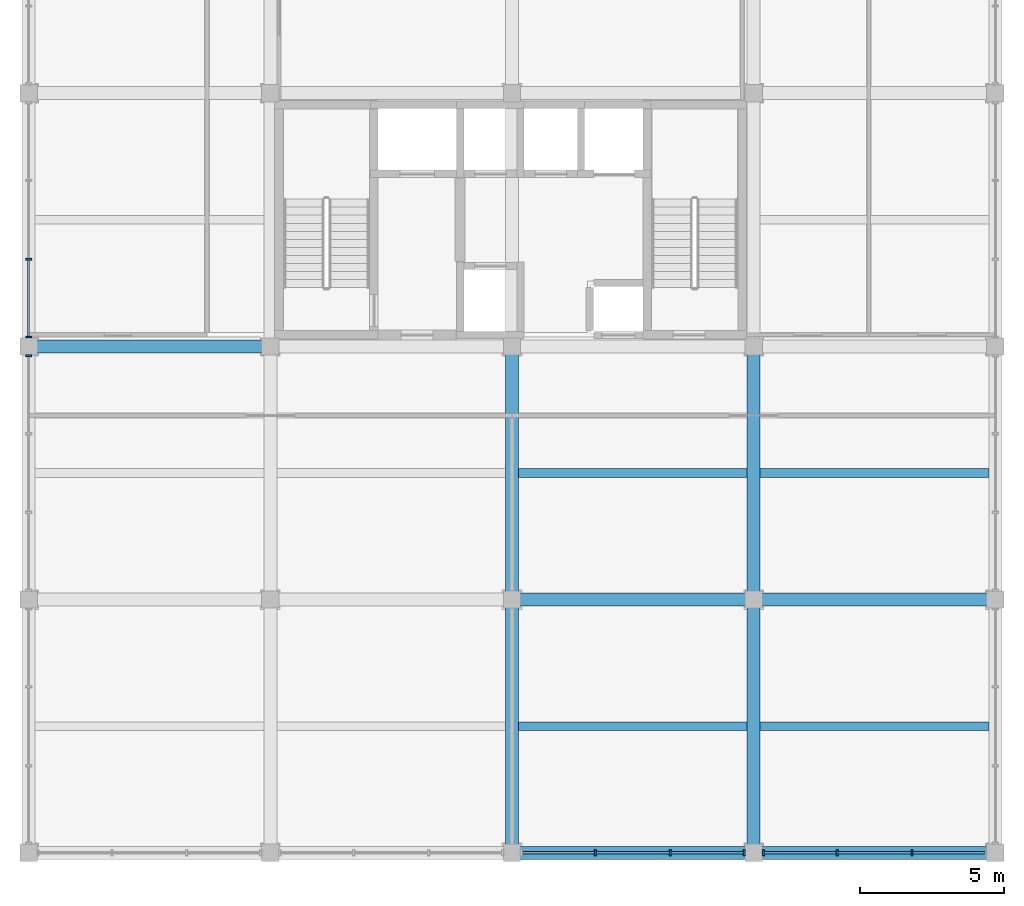
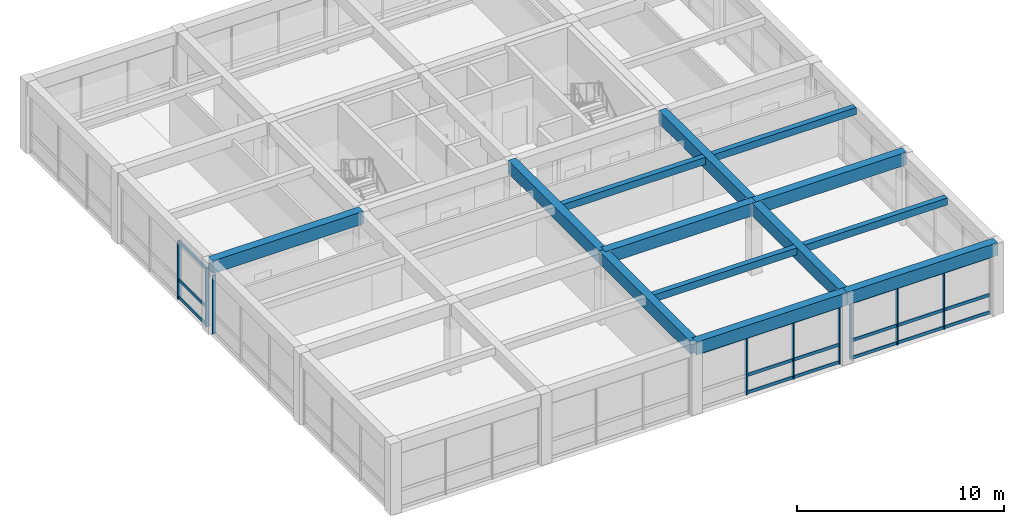
# One storey, part 3 of 14: 28 members, 13 beams, 4 elements without a shape of their own.
"""IFC4 building model written with IfcOpenShell, lengths in metres."""

from ifc_helpers import new_model, si_unit, direction, frame, origin, origin_2d, place, context, subcontext, project, spatial, rectangle, extrude, material, material_profile, profile_set, type_object, element, aggregate, save


model = new_model("IFC4")

# Units and contexts
model_context = context("Model", 3, precision=1e-05, world=origin(), true_north=direction((0.0, 1.0)))
body_context = subcontext(model_context, "Body", "Model", "MODEL_VIEW")
ifc_project = project(units=[si_unit("LENGTHUNIT", "METRE"), si_unit("AREAUNIT", "SQUARE_METRE"), si_unit("VOLUMEUNIT", "CUBIC_METRE"), si_unit("PLANEANGLEUNIT", "RADIAN"), si_unit("MASSUNIT", "GRAM", prefix="KILO")], contexts=[model_context])

# Site, building, storey
site_placement = place(None, origin())
site = spatial("IfcSite", under=ifc_project, at=site_placement, CompositionType="ELEMENT")
building_placement = place(site_placement, origin())
building = spatial("IfcBuilding", under=site, at=building_placement, Name="Kemercrest Conservatory and Botanical Centre", CompositionType="ELEMENT")
storey_placement = place(building_placement, frame((0.0, 0.0, 63.800048828125)))
storey = spatial("IfcBuildingStorey", under=building, at=storey_placement, Name="L16", CompositionType="ELEMENT", Elevation=63.800048828125)

# Beams
ifc_material_1 = material(Name="Concrete C40/50", Category="concrete")
ifc_material_profile_1 = material_profile(ifc_material_1, rectangle(XDim=0.449951171875, YDim=0.75, at=origin_2d()), Name="RC 450x750")
ifc_profile_set_1 = profile_set([ifc_material_profile_1], Name="Concrete C40/50")
beam_type_1 = type_object("IfcBeamType", Name="BM-RC75", PredefinedType="BEAM", material=ifc_profile_set_1)
beam_1_placement = place(storey_placement, frame((159.199951171875, 96.0, 3.824951171875), z_axis=(1.0, 0.0, 0.0), x_axis=(0.0, 1.0, 0.0)))
element("IfcBeam", 1, at=beam_1_placement, inside=storey, type_object=beam_type_1, Name="V4-RF beam BM-RC75 L/19-20", PredefinedType="BEAM", context=body_context, shape_type="SweptSolid", body=[
    extrude(rectangle(XDim=0.449951171875, YDim=0.75, at=origin_2d()), origin(), (0.0, 0.0, 1.0), 8.400146484375),
])
beam_2_placement = place(storey_placement, frame((167.60009765625, 96.0, 3.824951171875), z_axis=(1.0, 0.0, 0.0), x_axis=(0.0, 1.0, 0.0)))
element("IfcBeam", 2, at=beam_2_placement, inside=storey, type_object=beam_type_1, Name="V4-RF beam BM-RC75 L/20-21", PredefinedType="BEAM", context=body_context, shape_type="SweptSolid", body=[
    extrude(rectangle(XDim=0.449951171875, YDim=0.75, at=origin_2d()), origin(), (0.0, 0.0, 1.0), 8.39990234375),
])
beam_3_placement = place(storey_placement, frame((142.39990234375, 104.800048828125, 3.824951171875), z_axis=(1.0, 0.0, 0.0), x_axis=(0.0, 1.0, 0.0)))
element("IfcBeam", 3, at=beam_3_placement, inside=storey, type_object=beam_type_1, Name="V4-RF beam BM-RC75 M/17-18", PredefinedType="BEAM", context=body_context, shape_type="SweptSolid", body=[
    extrude(rectangle(XDim=0.449951171875, YDim=0.75, at=origin_2d()), origin(), (0.0, 0.0, 1.0), 8.400146484375),
])
for number, where, z_axis, x_axis, name in (
    (4, (159.199951171875, 87.199951171875, 3.824951171875), (0.0, 1.0, 0.0), (-1.0, 0.0, 0.0), "V4-RF beam BM-RC75 19/K-L"),
    (5, (159.199951171875, 96.0, 3.824951171875), (0.0, 1.0, 0.0), (-1.0, 0.0, 0.0), "V4-RF beam BM-RC75 19/L-M"),
    (6, (167.60009765625, 87.199951171875, 3.824951171875), (0.0, 1.0, 0.0), (-1.0, 0.0, 0.0), "V4-RF beam BM-RC75 20/K-L"),
    (7, (167.60009765625, 96.0, 3.824951171875), (0.0, 1.0, 0.0), (-1.0, 0.0, 0.0), "V4-RF beam BM-RC75 20/L-M"),
):
    element("IfcBeam", number, at=place(storey_placement, frame(where, z_axis=z_axis, x_axis=x_axis)), inside=storey, type_object=beam_type_1, Name=name, PredefinedType="BEAM", context=body_context, shape_type="SweptSolid", body=[
        extrude(rectangle(XDim=0.449951171875, YDim=0.75, at=origin_2d()), origin(), (0.0, 0.0, 1.0), 8.800048828125),
    ])

# Curtain wall, members
ifc_material_2 = material(Name="Thermally broken aluminium and triple low-e glazing", Category="aluminium")
curtain_wall_type_1 = type_object("IfcCurtainWallType", Name="CW-14", PredefinedType="USERDEFINED", material=ifc_material_2)
curtain_wall_1_placement = place(storey_placement, origin())
curtain_wall_1 = element("IfcCurtainWall", 8, at=curtain_wall_1_placement, inside=storey, type_object=curtain_wall_type_1, Name="Unitised curtain wall CW-14 (CW:L16:V4-163)", ObjectType="UNITISED CURTAIN WALL", PredefinedType="USERDEFINED")
ifc_material_3 = material(Name="Thermally broken anodized aluminium 6063-T6", Category="aluminium")
ifc_material_profile_2 = material_profile(ifc_material_3, rectangle(XDim=0.199951171875, YDim=0.06494140625, at=origin_2d()), Name="AL MULLION 65x200")
ifc_profile_set_2 = profile_set([ifc_material_profile_2], Name="Thermally broken anodized aluminium 6063-T6")
member_type_1 = type_object("IfcMemberType", Name="CW-M200", PredefinedType="MULLION", material=ifc_profile_set_2)
member_1_placement = place(storey_placement, frame((162.098388671875, 87.199951171875, 0.0), z_axis=(0.0, 0.0, 1.0), x_axis=(0.0, 1.0, 0.0)))
member_1 = element("IfcMember", 9, at=member_1_placement, type_object=member_type_1, Name="CW-14 mullion 2", PredefinedType="MULLION", context=body_context, shape_type="SweptSolid", body=[
    extrude(rectangle(XDim=0.199951171875, YDim=0.06494140625, at=origin_2d()), origin(), (0.0, 0.0, 1.0), 3.454833984375),
])
member_2_placement = place(storey_placement, frame((164.70166015625, 87.199951171875, 0.0), z_axis=(0.0, 0.0, 1.0), x_axis=(0.0, 1.0, 0.0)))
member_2 = element("IfcMember", 10, at=member_2_placement, type_object=member_type_1, Name="CW-14 mullion 3", PredefinedType="MULLION", context=body_context, shape_type="SweptSolid", body=[
    extrude(rectangle(XDim=0.199951171875, YDim=0.06494140625, at=origin_2d()), origin(), (0.0, 0.0, 1.0), 3.454833984375),
])
member_3_placement = place(storey_placement, frame((167.2724609375, 87.199951171875, 0.0), z_axis=(0.0, 0.0, 1.0), x_axis=(0.0, 1.0, 0.0)))
member_3 = element("IfcMember", 11, at=member_3_placement, type_object=member_type_1, Name="CW-14 mullion 4", PredefinedType="MULLION", context=body_context, shape_type="SweptSolid", body=[
    extrude(rectangle(XDim=0.199951171875, YDim=0.06494140625, at=origin_2d()), origin(), (0.0, 0.0, 1.0), 3.454833984375),
])

curtain_wall_type_2 = type_object("IfcCurtainWallType", Name="CW-15", PredefinedType="USERDEFINED", material=ifc_material_2)
curtain_wall_2_placement = place(storey_placement, origin())
curtain_wall_2 = element("IfcCurtainWall", 12, at=curtain_wall_2_placement, inside=storey, type_object=curtain_wall_type_2, Name="Unitised curtain wall CW-15 (CW:L16:V4-164)", ObjectType="UNITISED CURTAIN WALL", PredefinedType="USERDEFINED")
member_4_placement = place(storey_placement, frame((167.927490234375, 87.199951171875, 0.0), z_axis=(0.0, 0.0, 1.0), x_axis=(0.0, 1.0, 0.0)))
member_4 = element("IfcMember", 13, at=member_4_placement, type_object=member_type_1, Name="CW-15 mullion 1", PredefinedType="MULLION", context=body_context, shape_type="SweptSolid", body=[
    extrude(rectangle(XDim=0.199951171875, YDim=0.06494140625, at=origin_2d()), origin(), (0.0, 0.0, 1.0), 3.454833984375),
])
member_5_placement = place(storey_placement, frame((170.498291015625, 87.199951171875, 0.0), z_axis=(0.0, 0.0, 1.0), x_axis=(0.0, 1.0, 0.0)))
member_5 = element("IfcMember", 14, at=member_5_placement, type_object=member_type_1, Name="CW-15 mullion 2", PredefinedType="MULLION", context=body_context, shape_type="SweptSolid", body=[
    extrude(rectangle(XDim=0.199951171875, YDim=0.06494140625, at=origin_2d()), origin(), (0.0, 0.0, 1.0), 3.454833984375),
])
member_6_placement = place(storey_placement, frame((173.1015625, 87.199951171875, 0.0), z_axis=(0.0, 0.0, 1.0), x_axis=(0.0, 1.0, 0.0)))
member_6 = element("IfcMember", 15, at=member_6_placement, type_object=member_type_1, Name="CW-15 mullion 3", PredefinedType="MULLION", context=body_context, shape_type="SweptSolid", body=[
    extrude(rectangle(XDim=0.199951171875, YDim=0.06494140625, at=origin_2d()), origin(), (0.0, 0.0, 1.0), 3.454833984375),
])

curtain_wall_type_3 = type_object("IfcCurtainWallType", Name="CW-25", PredefinedType="USERDEFINED", material=ifc_material_2)
curtain_wall_3_placement = place(storey_placement, origin())
curtain_wall_3 = element("IfcCurtainWall", 16, at=curtain_wall_3_placement, inside=storey, type_object=curtain_wall_type_3, Name="Unitised curtain wall CW-25 (CW:L16:V4-174)", ObjectType="UNITISED CURTAIN WALL", PredefinedType="USERDEFINED")
member_7_placement = place(storey_placement, frame((142.39990234375, 107.831787109375, 0.0), z_axis=(0.0, 0.0, 1.0), x_axis=(1.0, 0.0, 0.0)))
member_7 = element("IfcMember", 17, at=member_7_placement, type_object=member_type_1, Name="CW-25 mullion 3", PredefinedType="MULLION", context=body_context, shape_type="SweptSolid", body=[
    extrude(rectangle(XDim=0.199951171875, YDim=0.06494140625, at=origin_2d()), origin(), (0.0, 0.0, 1.0), 3.454833984375),
])
member_8_placement = place(storey_placement, frame((142.39990234375, 105.12744140625, 0.0), z_axis=(0.0, 0.0, 1.0), x_axis=(1.0, 0.0, 0.0)))
member_8 = element("IfcMember", 18, at=member_8_placement, type_object=member_type_1, Name="CW-25 mullion 4", PredefinedType="MULLION", context=body_context, shape_type="SweptSolid", body=[
    extrude(rectangle(XDim=0.199951171875, YDim=0.06494140625, at=origin_2d()), origin(), (0.0, 0.0, 1.0), 3.454833984375),
])

# Curtain wall, member
curtain_wall_type_4 = type_object("IfcCurtainWallType", Name="CW-26", PredefinedType="USERDEFINED", material=ifc_material_2)
curtain_wall_4_placement = place(storey_placement, origin())
curtain_wall_4 = element("IfcCurtainWall", 19, at=curtain_wall_4_placement, inside=storey, type_object=curtain_wall_type_4, Name="Unitised curtain wall CW-26 (CW:L16:V4-175)", ObjectType="UNITISED CURTAIN WALL", PredefinedType="USERDEFINED")
member_9_placement = place(storey_placement, frame((142.39990234375, 104.472412109375, 0.0), z_axis=(0.0, 0.0, 1.0), x_axis=(1.0, 0.0, 0.0)))
member_9 = element("IfcMember", 20, at=member_9_placement, type_object=member_type_1, Name="CW-26 mullion 1", PredefinedType="MULLION", context=body_context, shape_type="SweptSolid", body=[
    extrude(rectangle(XDim=0.199951171875, YDim=0.06494140625, at=origin_2d()), origin(), (0.0, 0.0, 1.0), 3.454833984375),
])
aggregate(curtain_wall_4, [member_9])

# Member
ifc_material_profile_3 = material_profile(ifc_material_3, rectangle(XDim=0.074951171875, YDim=0.179931640625, at=origin_2d()), Name="AL TRANSOM 75x180")
ifc_profile_set_3 = profile_set([ifc_material_profile_3], Name="Thermally broken anodized aluminium 6063-T6")
member_type_2 = type_object("IfcMemberType", Name="CW-T180", PredefinedType="USERDEFINED", material=ifc_profile_set_3)
member_10_placement = place(storey_placement, frame((159.56005859375, 87.199951171875, 3.364990234375), z_axis=(1.0, 0.0, 0.0), x_axis=(0.0, 1.0, 0.0)))
member_10 = element("IfcMember", 21, at=member_10_placement, type_object=member_type_2, Name="CW-14 transom 1.3", ObjectType="TRANSOM", PredefinedType="USERDEFINED", context=body_context, shape_type="SweptSolid", body=[
    extrude(rectangle(XDim=0.074951171875, YDim=0.179931640625, at=origin_2d()), origin(), (0.0, 0.0, 1.0), 2.505859375),
])

member_11_placement = place(storey_placement, frame((162.130859375, 87.199951171875, 0.08984375), z_axis=(1.0, 0.0, 0.0), x_axis=(0.0, 1.0, 0.0)))
member_11 = element("IfcMember", 22, at=member_11_placement, type_object=member_type_2, Name="CW-14 transom 2.1", ObjectType="TRANSOM", PredefinedType="USERDEFINED", context=body_context, shape_type="SweptSolid", body=[
    extrude(rectangle(XDim=0.074951171875, YDim=0.179931640625, at=origin_2d()), origin(), (0.0, 0.0, 1.0), 2.538330078125),
])

member_12_placement = place(storey_placement, frame((162.130859375, 87.199951171875, 1.119873046875), z_axis=(1.0, 0.0, 0.0), x_axis=(0.0, 1.0, 0.0)))
member_12 = element("IfcMember", 23, at=member_12_placement, type_object=member_type_2, Name="CW-14 transom 2.2", ObjectType="TRANSOM", PredefinedType="USERDEFINED", context=body_context, shape_type="SweptSolid", body=[
    extrude(rectangle(XDim=0.074951171875, YDim=0.179931640625, at=origin_2d()), origin(), (0.0, 0.0, 1.0), 2.538330078125),
])

member_13_placement = place(storey_placement, frame((162.130859375, 87.199951171875, 3.364990234375), z_axis=(1.0, 0.0, 0.0), x_axis=(0.0, 1.0, 0.0)))
member_13 = element("IfcMember", 24, at=member_13_placement, type_object=member_type_2, Name="CW-14 transom 2.3", ObjectType="TRANSOM", PredefinedType="USERDEFINED", context=body_context, shape_type="SweptSolid", body=[
    extrude(rectangle(XDim=0.074951171875, YDim=0.179931640625, at=origin_2d()), origin(), (0.0, 0.0, 1.0), 2.538330078125),
])

member_14_placement = place(storey_placement, frame((164.734130859375, 87.199951171875, 0.08984375), z_axis=(1.0, 0.0, 0.0), x_axis=(0.0, 1.0, 0.0)))
member_14 = element("IfcMember", 25, at=member_14_placement, type_object=member_type_2, Name="CW-14 transom 3.1", ObjectType="TRANSOM", PredefinedType="USERDEFINED", context=body_context, shape_type="SweptSolid", body=[
    extrude(rectangle(XDim=0.074951171875, YDim=0.179931640625, at=origin_2d()), origin(), (0.0, 0.0, 1.0), 2.505859375),
])

member_15_placement = place(storey_placement, frame((164.734130859375, 87.199951171875, 1.119873046875), z_axis=(1.0, 0.0, 0.0), x_axis=(0.0, 1.0, 0.0)))
member_15 = element("IfcMember", 26, at=member_15_placement, type_object=member_type_2, Name="CW-14 transom 3.2", ObjectType="TRANSOM", PredefinedType="USERDEFINED", context=body_context, shape_type="SweptSolid", body=[
    extrude(rectangle(XDim=0.074951171875, YDim=0.179931640625, at=origin_2d()), origin(), (0.0, 0.0, 1.0), 2.505859375),
])

member_16_placement = place(storey_placement, frame((164.734130859375, 87.199951171875, 3.364990234375), z_axis=(1.0, 0.0, 0.0), x_axis=(0.0, 1.0, 0.0)))
member_16 = element("IfcMember", 27, at=member_16_placement, type_object=member_type_2, Name="CW-14 transom 3.3", ObjectType="TRANSOM", PredefinedType="USERDEFINED", context=body_context, shape_type="SweptSolid", body=[
    extrude(rectangle(XDim=0.074951171875, YDim=0.179931640625, at=origin_2d()), origin(), (0.0, 0.0, 1.0), 2.505859375),
])

aggregate(curtain_wall_1, [member_1, member_2, member_3, member_10, member_11, member_12, member_13, member_14, member_15, member_16])

member_17_placement = place(storey_placement, frame((167.9599609375, 87.199951171875, 0.08984375), z_axis=(1.0, 0.0, 0.0), x_axis=(0.0, 1.0, 0.0)))
member_17 = element("IfcMember", 28, at=member_17_placement, type_object=member_type_2, Name="CW-15 transom 1.1", ObjectType="TRANSOM", PredefinedType="USERDEFINED", context=body_context, shape_type="SweptSolid", body=[
    extrude(rectangle(XDim=0.074951171875, YDim=0.179931640625, at=origin_2d()), origin(), (0.0, 0.0, 1.0), 2.505859375),
])

member_18_placement = place(storey_placement, frame((167.9599609375, 87.199951171875, 1.119873046875), z_axis=(1.0, 0.0, 0.0), x_axis=(0.0, 1.0, 0.0)))
member_18 = element("IfcMember", 29, at=member_18_placement, type_object=member_type_2, Name="CW-15 transom 1.2", ObjectType="TRANSOM", PredefinedType="USERDEFINED", context=body_context, shape_type="SweptSolid", body=[
    extrude(rectangle(XDim=0.074951171875, YDim=0.179931640625, at=origin_2d()), origin(), (0.0, 0.0, 1.0), 2.505859375),
])

member_19_placement = place(storey_placement, frame((167.9599609375, 87.199951171875, 3.364990234375), z_axis=(1.0, 0.0, 0.0), x_axis=(0.0, 1.0, 0.0)))
member_19 = element("IfcMember", 30, at=member_19_placement, type_object=member_type_2, Name="CW-15 transom 1.3", ObjectType="TRANSOM", PredefinedType="USERDEFINED", context=body_context, shape_type="SweptSolid", body=[
    extrude(rectangle(XDim=0.074951171875, YDim=0.179931640625, at=origin_2d()), origin(), (0.0, 0.0, 1.0), 2.505859375),
])

member_20_placement = place(storey_placement, frame((170.53076171875, 87.199951171875, 0.08984375), z_axis=(1.0, 0.0, 0.0), x_axis=(0.0, 1.0, 0.0)))
member_20 = element("IfcMember", 31, at=member_20_placement, type_object=member_type_2, Name="CW-15 transom 2.1", ObjectType="TRANSOM", PredefinedType="USERDEFINED", context=body_context, shape_type="SweptSolid", body=[
    extrude(rectangle(XDim=0.074951171875, YDim=0.179931640625, at=origin_2d()), origin(), (0.0, 0.0, 1.0), 2.538330078125),
])

member_21_placement = place(storey_placement, frame((170.53076171875, 87.199951171875, 1.119873046875), z_axis=(1.0, 0.0, 0.0), x_axis=(0.0, 1.0, 0.0)))
member_21 = element("IfcMember", 32, at=member_21_placement, type_object=member_type_2, Name="CW-15 transom 2.2", ObjectType="TRANSOM", PredefinedType="USERDEFINED", context=body_context, shape_type="SweptSolid", body=[
    extrude(rectangle(XDim=0.074951171875, YDim=0.179931640625, at=origin_2d()), origin(), (0.0, 0.0, 1.0), 2.538330078125),
])

member_22_placement = place(storey_placement, frame((170.53076171875, 87.199951171875, 3.364990234375), z_axis=(1.0, 0.0, 0.0), x_axis=(0.0, 1.0, 0.0)))
member_22 = element("IfcMember", 33, at=member_22_placement, type_object=member_type_2, Name="CW-15 transom 2.3", ObjectType="TRANSOM", PredefinedType="USERDEFINED", context=body_context, shape_type="SweptSolid", body=[
    extrude(rectangle(XDim=0.074951171875, YDim=0.179931640625, at=origin_2d()), origin(), (0.0, 0.0, 1.0), 2.538330078125),
])

member_23_placement = place(storey_placement, frame((173.13427734375, 87.199951171875, 0.08984375), z_axis=(1.0, 0.0, 0.0), x_axis=(0.0, 1.0, 0.0)))
member_23 = element("IfcMember", 34, at=member_23_placement, type_object=member_type_2, Name="CW-15 transom 3.1", ObjectType="TRANSOM", PredefinedType="USERDEFINED", context=body_context, shape_type="SweptSolid", body=[
    extrude(rectangle(XDim=0.074951171875, YDim=0.179931640625, at=origin_2d()), origin(), (0.0, 0.0, 1.0), 2.505615234375),
])

member_24_placement = place(storey_placement, frame((173.13427734375, 87.199951171875, 1.119873046875), z_axis=(1.0, 0.0, 0.0), x_axis=(0.0, 1.0, 0.0)))
member_24 = element("IfcMember", 35, at=member_24_placement, type_object=member_type_2, Name="CW-15 transom 3.2", ObjectType="TRANSOM", PredefinedType="USERDEFINED", context=body_context, shape_type="SweptSolid", body=[
    extrude(rectangle(XDim=0.074951171875, YDim=0.179931640625, at=origin_2d()), origin(), (0.0, 0.0, 1.0), 2.505615234375),
])

member_25_placement = place(storey_placement, frame((173.13427734375, 87.199951171875, 3.364990234375), z_axis=(1.0, 0.0, 0.0), x_axis=(0.0, 1.0, 0.0)))
member_25 = element("IfcMember", 36, at=member_25_placement, type_object=member_type_2, Name="CW-15 transom 3.3", ObjectType="TRANSOM", PredefinedType="USERDEFINED", context=body_context, shape_type="SweptSolid", body=[
    extrude(rectangle(XDim=0.074951171875, YDim=0.179931640625, at=origin_2d()), origin(), (0.0, 0.0, 1.0), 2.505615234375),
])

aggregate(curtain_wall_2, [member_4, member_5, member_6, member_17, member_18, member_19, member_20, member_21, member_22, member_23, member_24, member_25])

member_26_placement = place(storey_placement, frame((142.39990234375, 107.799072265625, 0.08984375), z_axis=(0.0, -1.0, 0.0), x_axis=(1.0, 0.0, 0.0)))
member_26 = element("IfcMember", 37, at=member_26_placement, type_object=member_type_2, Name="CW-25 transom 3.1", ObjectType="TRANSOM", PredefinedType="USERDEFINED", context=body_context, shape_type="SweptSolid", body=[
    extrude(rectangle(XDim=0.074951171875, YDim=0.179931640625, at=origin_2d()), origin(), (0.0, 0.0, 1.0), 2.63916015625),
])

member_27_placement = place(storey_placement, frame((142.39990234375, 107.799072265625, 1.119873046875), z_axis=(0.0, -1.0, 0.0), x_axis=(1.0, 0.0, 0.0)))
member_27 = element("IfcMember", 38, at=member_27_placement, type_object=member_type_2, Name="CW-25 transom 3.2", ObjectType="TRANSOM", PredefinedType="USERDEFINED", context=body_context, shape_type="SweptSolid", body=[
    extrude(rectangle(XDim=0.074951171875, YDim=0.179931640625, at=origin_2d()), origin(), (0.0, 0.0, 1.0), 2.63916015625),
])

member_28_placement = place(storey_placement, frame((142.39990234375, 107.799072265625, 3.364990234375), z_axis=(0.0, -1.0, 0.0), x_axis=(1.0, 0.0, 0.0)))
member_28 = element("IfcMember", 39, at=member_28_placement, type_object=member_type_2, Name="CW-25 transom 3.3", ObjectType="TRANSOM", PredefinedType="USERDEFINED", context=body_context, shape_type="SweptSolid", body=[
    extrude(rectangle(XDim=0.074951171875, YDim=0.179931640625, at=origin_2d()), origin(), (0.0, 0.0, 1.0), 2.63916015625),
])

aggregate(curtain_wall_3, [member_7, member_8, member_26, member_27, member_28])

# Beams
ifc_material_profile_4 = material_profile(ifc_material_1, rectangle(XDim=0.300048828125, YDim=0.419921875, at=origin_2d()), Name="RC 300x420")
ifc_profile_set_4 = profile_set([ifc_material_profile_4], Name="Concrete C40/50")
beam_type_2 = type_object("IfcBeamType", Name="JS-RC42", PredefinedType="JOIST", material=ifc_profile_set_4)
for number, where, z_axis, x_axis, name in (
    (40, (159.425048828125, 91.60009765625, 3.989990234375), (1.0, 0.0, 0.0), (0.0, 1.0, 0.0), "V4-RF secondary joist JS-RC42"),
    (41, (167.824951171875, 91.60009765625, 3.989990234375), (1.0, 0.0, 0.0), (0.0, 1.0, 0.0), "V4-RF secondary joist JS-RC42"),
    (42, (159.425048828125, 100.39990234375, 3.989990234375), (1.0, 0.0, 0.0), (0.0, 1.0, 0.0), "V4-RF secondary joist JS-RC42"),
    (43, (167.824951171875, 100.39990234375, 3.989990234375), (1.0, 0.0, 0.0), (0.0, 1.0, 0.0), "V4-RF secondary joist JS-RC42"),
):
    element("IfcBeam", number, at=place(storey_placement, frame(where, z_axis=z_axis, x_axis=x_axis)), inside=storey, type_object=beam_type_2, Name=name, PredefinedType="JOIST", context=body_context, shape_type="SweptSolid", body=[
        extrude(rectangle(XDim=0.300048828125, YDim=0.419921875, at=origin_2d()), origin(), (0.0, 0.0, 1.0), 7.949951171875),
    ])
ifc_material_profile_5 = material_profile(ifc_material_1, rectangle(XDim=0.449951171875, YDim=0.75, at=origin_2d()), Name="RC 450x750")
ifc_profile_set_5 = profile_set([ifc_material_profile_5], Name="Concrete C40/50")
beam_type_3 = type_object("IfcBeamType", Name="SP-RC75", PredefinedType="SPANDREL", material=ifc_profile_set_5)
beam_4_placement = place(storey_placement, frame((159.199951171875, 87.199951171875, 3.824951171875), z_axis=(1.0, 0.0, 0.0), x_axis=(0.0, 1.0, 0.0)))
element("IfcBeam", 44, at=beam_4_placement, inside=storey, type_object=beam_type_3, Name="V4-RF beam SP-RC75 K/19-20", PredefinedType="SPANDREL", context=body_context, shape_type="SweptSolid", body=[
    extrude(rectangle(XDim=0.449951171875, YDim=0.75, at=origin_2d()), origin(), (0.0, 0.0, 1.0), 8.400146484375),
])
beam_5_placement = place(storey_placement, frame((167.60009765625, 87.199951171875, 3.824951171875), z_axis=(1.0, 0.0, 0.0), x_axis=(0.0, 1.0, 0.0)))
element("IfcBeam", 45, at=beam_5_placement, inside=storey, type_object=beam_type_3, Name="V4-RF beam SP-RC75 K/20-21", PredefinedType="SPANDREL", context=body_context, shape_type="SweptSolid", body=[
    extrude(rectangle(XDim=0.449951171875, YDim=0.75, at=origin_2d()), origin(), (0.0, 0.0, 1.0), 8.39990234375),
])

save(model, "model.ifc")
